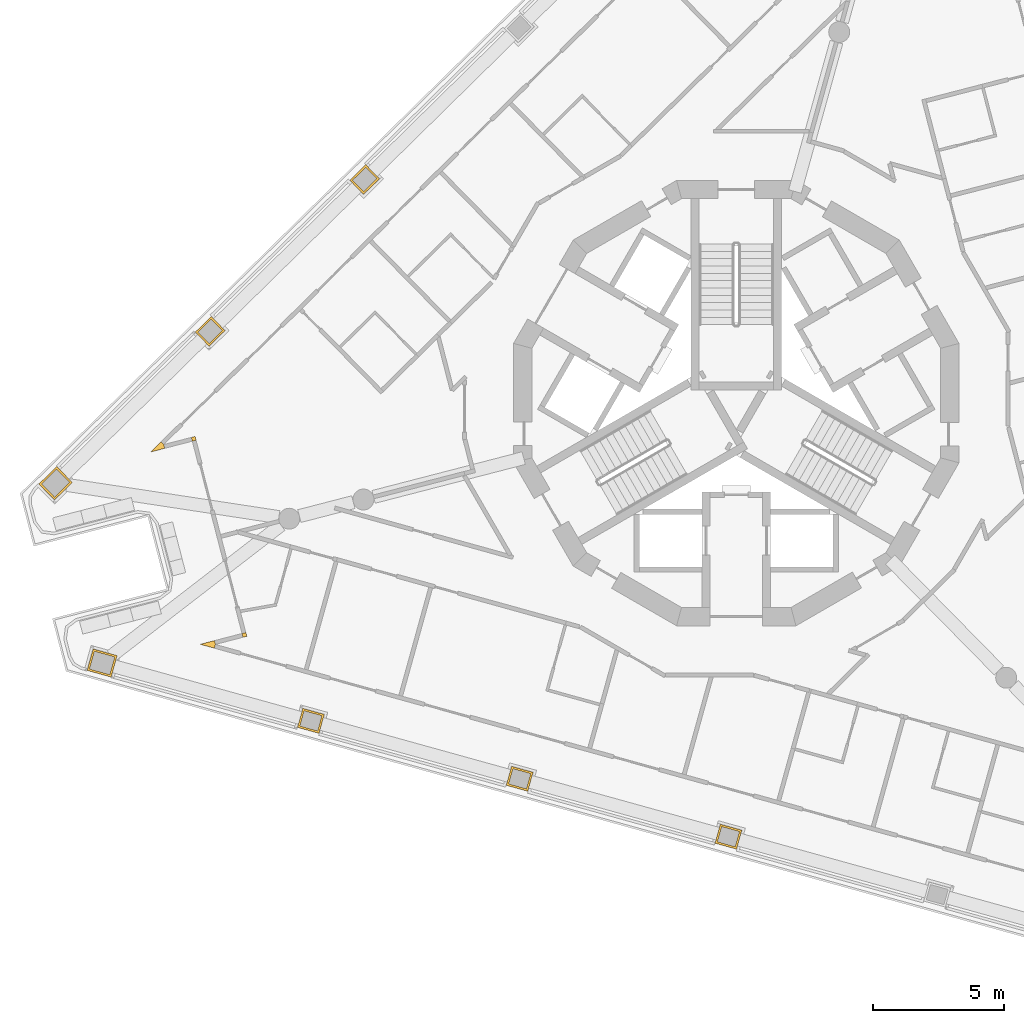
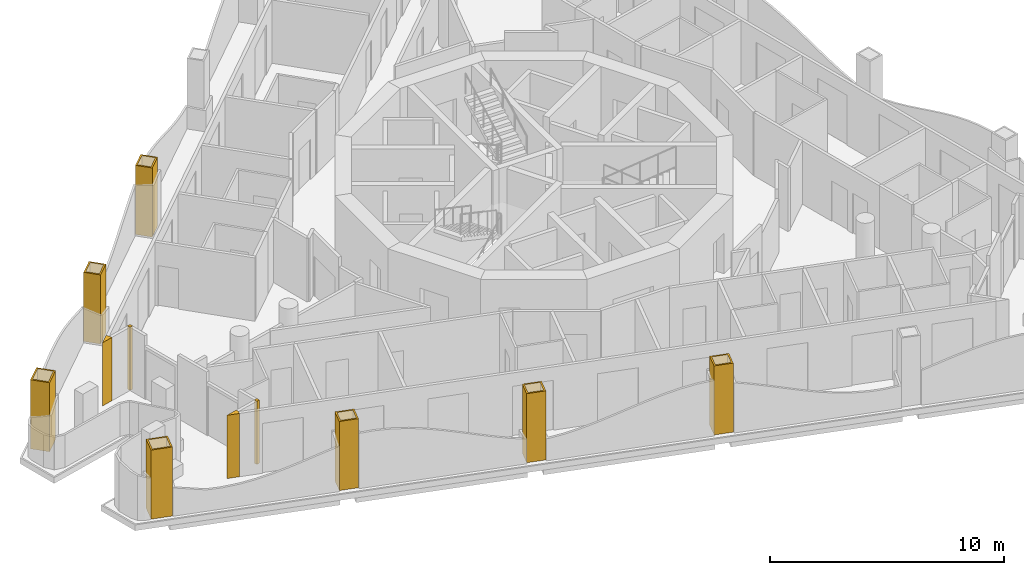
# One storey, part 9 of 14: 11 coverings.
"""IFC4 building model written with IfcOpenShell, lengths in metres."""

from ifc_helpers import new_model, si_unit, direction, frame, origin, place, context, subcontext, project, spatial, polyline, outline, extrude, material, layer, layer_set, type_object, element, save


model = new_model("IFC4")

# Units and contexts
model_context = context("Model", 3, precision=1e-05, world=origin(), true_north=direction((0.0, 1.0)))
body_context = subcontext(model_context, "Body", "Model", "MODEL_VIEW")
ifc_project = project(units=[si_unit("LENGTHUNIT", "METRE"), si_unit("AREAUNIT", "SQUARE_METRE"), si_unit("VOLUMEUNIT", "CUBIC_METRE"), si_unit("PLANEANGLEUNIT", "RADIAN"), si_unit("MASSUNIT", "GRAM", prefix="KILO")], contexts=[model_context])

# Site, building, storey
site_placement = place(None, origin())
site = spatial("IfcSite", under=ifc_project, at=site_placement, CompositionType="ELEMENT")
building_placement = place(site_placement, origin())
building = spatial("IfcBuilding", under=site, at=building_placement, Name="Trine Commons Tower", CompositionType="ELEMENT")
storey_placement = place(building_placement, frame((0.0, 0.0, 245.699951171875)))
storey = spatial("IfcBuildingStorey", under=building, at=storey_placement, Name="L64", CompositionType="ELEMENT", Elevation=245.699951171875)

# Coverings
ifc_material_1 = material(Name="Aluminium-framed insulated wall panel", Category="aluminium")
ifc_layer_1 = layer(ifc_material_1, 0.14990234375)
ifc_layer_set_1 = layer_set([ifc_layer_1], Name="Aluminium-framed insulated wall panel")
covering_type_1 = type_object("IfcCoveringType", Name="Glazing corner post, aluminium", PredefinedType="CLADDING", material=ifc_layer_set_1)
covering_1_placement = place(storey_placement, origin())
element("IfcCovering", 1, at=covering_1_placement, inside=storey, type_object=covering_type_1, Name="Glazing corner post 7-01", PredefinedType="CLADDING", context=body_context, shape_type="SweptSolid", body=[
    extrude(outline(polyline([(58.186279296875, 60.773193359375), (58.14892578125, 60.91845703125), (58.043701171875, 61.025390625), (57.644287109375, 60.63330078125), (58.186279296875, 60.773193359375)])), origin(), (0.0, 0.0, 1.0), 3.300048828125),
])
covering_2_placement = place(storey_placement, origin())
element("IfcCovering", 2, at=covering_2_placement, inside=storey, type_object=covering_type_1, Name="Glazing corner post 7-10", PredefinedType="CLADDING", context=body_context, shape_type="SweptSolid", body=[
    extrude(outline(polyline([(60.081787109375, 53.14501953125), (60.121826171875, 53.28955078125), (60.084228515625, 53.434814453125), (59.542236328125, 53.294677734375), (60.081787109375, 53.14501953125)])), origin(), (0.0, 0.0, 1.0), 3.300048828125),
])
covering_3_placement = place(storey_placement, origin())
element("IfcCovering", 3, at=covering_3_placement, inside=storey, type_object=covering_type_1, Name="Glazing corner post 7-11", PredefinedType="CLADDING", context=body_context, shape_type="SweptSolid", body=[
    extrude(outline(polyline([(61.135498046875, 53.70654296875), (61.135498046875, 53.70654296875), (61.173095703125, 53.561279296875), (61.318115234375, 53.598876953125), (61.28076171875, 53.744140625), (61.135498046875, 53.70654296875)])), origin(), (0.0, 0.0, 1.0), 3.300048828125),
])
covering_4_placement = place(storey_placement, origin())
element("IfcCovering", 4, at=covering_4_placement, inside=storey, type_object=covering_type_1, Name="Glazing corner post 7-12", PredefinedType="CLADDING", context=body_context, shape_type="SweptSolid", body=[
    extrude(outline(polyline([(59.199951171875, 61.1904296875), (59.237548828125, 61.045166015625), (59.3828125, 61.082763671875), (59.34521484375, 61.227783203125), (59.199951171875, 61.1904296875)])), origin(), (0.0, 0.0, 1.0), 3.300048828125),
])
ifc_material_2 = material(Name="Limestone, honed", Category="masonry")
ifc_layer_2 = layer(ifc_material_2, 0.074951171875)
ifc_layer_set_2 = layer_set([ifc_layer_2], Name="Limestone, honed")
covering_type_2 = type_object("IfcCoveringType", Name="Limestone column cladding 75", PredefinedType="CLADDING", material=ifc_layer_set_2)
covering_5_placement = place(storey_placement, origin())
element("IfcCovering", 5, at=covering_5_placement, inside=storey, type_object=covering_type_2, Name="Limestone pier cladding 7-03", PredefinedType="CLADDING", context=body_context, shape_type="SweptSolid", body=[
    extrude(outline(polyline([(79.3916015625, 46.42529296875), (79.19091796875, 45.70263671875), (80.010009765625, 45.4755859375), (80.210693359375, 46.1982421875), (79.3916015625, 46.42529296875)]), holes=[polyline([(79.443603515625, 46.3330078125), (79.283447265625, 45.7548828125), (79.9580078125, 45.56787109375), (80.1181640625, 46.14599609375), (79.443603515625, 46.3330078125)])]), origin(), (0.0, 0.0, 1.0), 3.60009765625),
])
covering_6_placement = place(storey_placement, origin())
element("IfcCovering", 6, at=covering_6_placement, inside=storey, type_object=covering_type_2, Name="Limestone pier cladding 7-04", PredefinedType="CLADDING", context=body_context, shape_type="SweptSolid", body=[
    extrude(outline(polyline([(71.423583984375, 48.635009765625), (71.222900390625, 47.912353515625), (72.0419921875, 47.685302734375), (72.24267578125, 48.407958984375), (71.423583984375, 48.635009765625)]), holes=[polyline([(71.4755859375, 48.542724609375), (71.3154296875, 47.964599609375), (71.989990234375, 47.777587890625), (72.150146484375, 48.355712890625), (71.4755859375, 48.542724609375)])]), origin(), (0.0, 0.0, 1.0), 3.60009765625),
])
covering_7_placement = place(storey_placement, origin())
element("IfcCovering", 7, at=covering_7_placement, inside=storey, type_object=covering_type_2, Name="Limestone pier cladding 7-05", PredefinedType="CLADDING", context=body_context, shape_type="SweptSolid", body=[
    extrude(outline(polyline([(63.45556640625, 50.8447265625), (63.2548828125, 50.1220703125), (64.07421875, 49.89501953125), (64.274658203125, 50.61767578125), (63.45556640625, 50.8447265625)]), holes=[polyline([(63.5078125, 50.75244140625), (63.347412109375, 50.17431640625), (64.02197265625, 49.9873046875), (64.18212890625, 50.5654296875), (63.5078125, 50.75244140625)])]), origin(), (0.0, 0.0, 1.0), 3.60009765625),
])
covering_8_placement = place(storey_placement, origin())
element("IfcCovering", 8, at=covering_8_placement, inside=storey, type_object=covering_type_2, Name="Limestone pier cladding 7-06", PredefinedType="CLADDING", context=body_context, shape_type="SweptSolid", body=[
    extrude(outline(polyline([(55.45263671875, 53.115966796875), (55.2255859375, 52.296875), (56.140869140625, 52.04296875), (56.3681640625, 52.862060546875), (55.45263671875, 53.115966796875)]), holes=[polyline([(55.5048828125, 53.023681640625), (55.31787109375, 52.34912109375), (56.088623046875, 52.13525390625), (56.27587890625, 52.809814453125), (55.5048828125, 53.023681640625)])]), origin(), (0.0, 0.0, 1.0), 3.60009765625),
])
covering_9_placement = place(storey_placement, origin())
element("IfcCovering", 9, at=covering_9_placement, inside=storey, type_object=covering_type_2, Name="Limestone pier cladding 7-07", PredefinedType="CLADDING", context=body_context, shape_type="SweptSolid", body=[
    extrude(outline(polyline([(54.65869140625, 59.472412109375), (54.062744140625, 60.078857421875), (53.38525390625, 59.412841796875), (53.98095703125, 58.806640625), (54.65869140625, 59.472412109375)]), holes=[polyline([(54.552490234375, 59.473388671875), (54.06201171875, 59.97265625), (53.4912109375, 59.412109375), (53.98193359375, 58.91259765625), (54.552490234375, 59.473388671875)])]), origin(), (0.0, 0.0, 1.0), 3.60009765625),
])
covering_10_placement = place(storey_placement, origin())
element("IfcCovering", 10, at=covering_10_placement, inside=storey, type_object=covering_type_2, Name="Limestone pier cladding 7-08", PredefinedType="CLADDING", context=body_context, shape_type="SweptSolid", body=[
    extrude(outline(polyline([(60.485595703125, 65.268798828125), (59.959716796875, 65.8037109375), (59.353515625, 65.2080078125), (59.879150390625, 64.6728515625), (60.485595703125, 65.268798828125)]), holes=[polyline([(60.37939453125, 65.26953125), (59.958984375, 65.697509765625), (59.459716796875, 65.20703125), (59.880126953125, 64.779052734375), (60.37939453125, 65.26953125)])]), origin(), (0.0, 0.0, 1.0), 3.60009765625),
])
covering_11_placement = place(storey_placement, origin())
element("IfcCovering", 11, at=covering_11_placement, inside=storey, type_object=covering_type_2, Name="Limestone pier cladding 7-09", PredefinedType="CLADDING", context=body_context, shape_type="SweptSolid", body=[
    extrude(outline(polyline([(66.38330078125, 71.064208984375), (65.857421875, 71.599365234375), (65.251220703125, 71.00341796875), (65.77685546875, 70.468505859375), (66.38330078125, 71.064208984375)]), holes=[polyline([(66.277099609375, 71.065185546875), (65.856689453125, 71.4931640625), (65.357421875, 71.002685546875), (65.77783203125, 70.57470703125), (66.277099609375, 71.065185546875)])]), origin(), (0.0, 0.0, 1.0), 3.60009765625),
])

save(model, "model.ifc")
